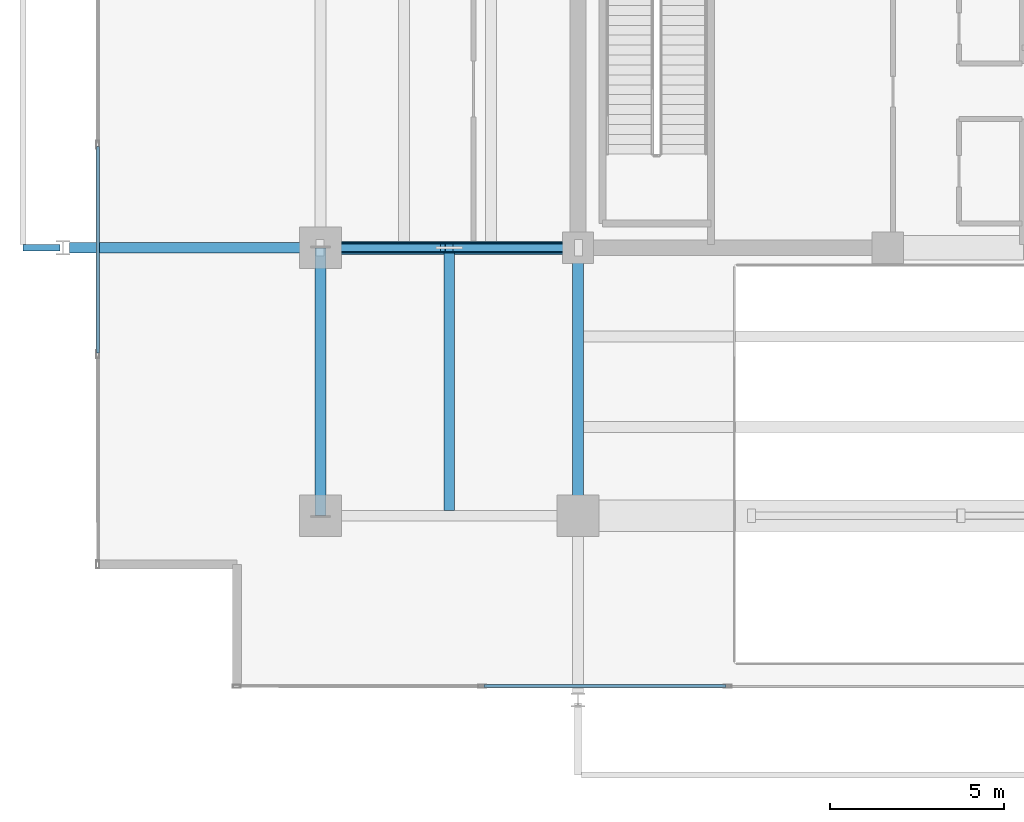
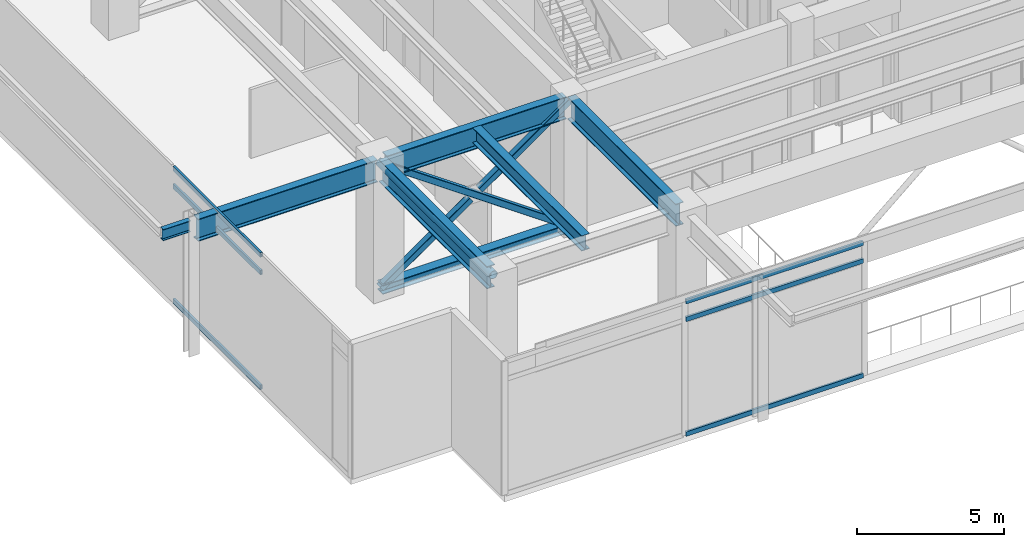
# One storey, part 3 of 26: 11 members, 6 beams, 2 elements without a shape of their own.
"""IFC4 building model written with IfcOpenShell, lengths in metres."""

from ifc_helpers import new_model, si_unit, direction, frame, origin, origin_2d, place, context, subcontext, project, spatial, hollow_rectangle, hollow_circle, i_section, extrude, material, material_profile, profile_set, type_object, element, aggregate, save


model = new_model("IFC4")

# Units and contexts
model_context = context("Model", 3, precision=1e-05, world=origin(), true_north=direction((0.0, 1.0)))
body_context = subcontext(model_context, "Body", "Model", "MODEL_VIEW")
ifc_project = project(units=[si_unit("LENGTHUNIT", "METRE"), si_unit("AREAUNIT", "SQUARE_METRE"), si_unit("VOLUMEUNIT", "CUBIC_METRE"), si_unit("PLANEANGLEUNIT", "RADIAN"), si_unit("MASSUNIT", "GRAM", prefix="KILO")], contexts=[model_context])

# Site, building, storey
site_placement = place(None, origin())
site = spatial("IfcSite", under=ifc_project, at=site_placement, CompositionType="ELEMENT")
building_placement = place(site_placement, origin())
building = spatial("IfcBuilding", under=site, at=building_placement, Name="Kovane Verandah Tower", CompositionType="ELEMENT")
storey_placement = place(building_placement, frame((0.0, 0.0, 301.0)))
storey = spatial("IfcBuildingStorey", under=building, at=storey_placement, Name="L70", CompositionType="ELEMENT", Elevation=301.0)

# Beams
ifc_material_1 = material(Name="Steel S460", Category="steel")
ifc_material_profile_1 = material_profile(ifc_material_1, i_section(OverallWidth=0.311279296875, OverallDepth=0.6357421875, WebThickness=0.018310546875, FlangeThickness=0.031494140625, FilletRadius=0.0166015625, at=origin_2d()), Name="UB610x305x238")
ifc_profile_set_1 = profile_set([ifc_material_profile_1], Name="Steel S460")
beam_type_1 = type_object("IfcBeamType", Name="BM-UB610x238", PredefinedType="BEAM", material=ifc_profile_set_1)
beam_1_placement = place(storey_placement, frame((25.300048828125, 10.951904296875, 5.26708984375), z_axis=(0.0, 1.0, 0.0), x_axis=(-1.0, 0.0, 0.0)))
element("IfcBeam", 1, at=beam_1_placement, inside=storey, type_object=beam_type_1, Name="L70 Secondary Composite Joist J-SW1", PredefinedType="BEAM", context=body_context, shape_type="SweptSolid", body=[
    extrude(i_section(OverallWidth=0.311279296875, OverallDepth=0.6357421875, WebThickness=0.018310546875, FlangeThickness=0.031494140625, FilletRadius=0.0166015625, at=origin_2d()), origin(), (0.0, 0.0, 1.0), 7.396240234375),
])
ifc_material_profile_2 = material_profile(ifc_material_1, i_section(OverallWidth=0.3076171875, OverallDepth=0.926513671875, WebThickness=0.01953125, FlangeThickness=0.031982421875, FilletRadius=0.01904296875, at=origin_2d()), Name="UB914x305x289")
ifc_profile_set_2 = profile_set([ifc_material_profile_2], Name="Steel S460")
beam_type_2 = type_object("IfcBeamType", Name="BM-UB914x289", PredefinedType="BEAM", material=ifc_profile_set_2)
beam_2_placement = place(storey_placement, frame((21.60009765625, 10.97998046875, 5.12158203125), z_axis=(0.0, 1.0, 0.0), x_axis=(-1.0, 0.0, 0.0)))
element("IfcBeam", 2, at=beam_2_placement, inside=storey, type_object=beam_type_2, Name="L70 Primary Tower Girder G-RW1", PredefinedType="BEAM", context=body_context, shape_type="SweptSolid", body=[
    extrude(i_section(OverallWidth=0.3076171875, OverallDepth=0.926513671875, WebThickness=0.01953125, FlangeThickness=0.031982421875, FilletRadius=0.01904296875, at=origin_2d()), origin(), (0.0, 0.0, 1.0), 7.340087890625),
])
beam_3_placement = place(storey_placement, frame((28.820068359375, 18.5, 5.12158203125), z_axis=(-1.0, 0.0, 0.0), x_axis=(0.0, -1.0, 0.0)))
element("IfcBeam", 3, at=beam_3_placement, inside=storey, type_object=beam_type_2, Name="L70 Primary Tower Girder G-W1", PredefinedType="BEAM", context=body_context, shape_type="SweptSolid", body=[
    extrude(i_section(OverallWidth=0.3076171875, OverallDepth=0.926513671875, WebThickness=0.01953125, FlangeThickness=0.031982421875, FilletRadius=0.01904296875, at=origin_2d()), origin(), (0.0, 0.0, 1.0), 7.0400390625),
])
beam_4_placement = place(storey_placement, frame((29.0, 18.320068359375, 5.12158203125), z_axis=(0.0, -1.0, 0.0), x_axis=(1.0, 0.0, 0.0)))
element("IfcBeam", 4, at=beam_4_placement, inside=storey, type_object=beam_type_2, Name="L70 Primary Tower Girder G-S1", PredefinedType="BEAM", context=body_context, shape_type="SweptSolid", body=[
    extrude(i_section(OverallWidth=0.3076171875, OverallDepth=0.926513671875, WebThickness=0.01953125, FlangeThickness=0.031982421875, FilletRadius=0.01904296875, at=origin_2d()), origin(), (0.0, 0.0, 1.0), 7.340087890625),
])
beam_5_placement = place(storey_placement, frame((21.419921875, 18.5, 5.0966796875), z_axis=(-1.0, 0.0, 0.0), x_axis=(0.0, -1.0, 0.0)))
element("IfcBeam", 5, at=beam_5_placement, inside=storey, type_object=beam_type_2, Name="L70 Primary Tower Girder G-VW1", PredefinedType="BEAM", context=body_context, shape_type="SweptSolid", body=[
    extrude(i_section(OverallWidth=0.3076171875, OverallDepth=0.926513671875, WebThickness=0.01953125, FlangeThickness=0.031982421875, FilletRadius=0.01904296875, at=origin_2d()), origin(), (0.0, 0.0, 1.0), 7.0400390625),
])

# Curtain wall, members
ifc_material_2 = material(Name="Champagne Anodised Aluminium Frame with Low-E Clear Laminated Glass", Category="aluminium")
curtain_wall_type = type_object("IfcCurtainWallType", Name="CW-SYS-05-HIGH", PredefinedType="NOTDEFINED", material=ifc_material_2)
curtain_wall_1_placement = place(storey_placement, origin())
curtain_wall_1 = element("IfcCurtainWall", 6, at=curtain_wall_1_placement, inside=storey, type_object=curtain_wall_type, Name="L70 South-West Wind-Portal Curtain Wall 1", PredefinedType="NOTDEFINED")
ifc_material_3 = material(Name="Champagne Anodised Aluminium 6063-T6", Category="aluminium")
ifc_material_profile_3 = material_profile(ifc_material_3, hollow_rectangle(XDim=0.0849609375, YDim=0.18994140625, WallThickness=0.00390625, at=origin_2d()), Name="AL85x190x4")
ifc_profile_set_3 = profile_set([ifc_material_profile_3], Name="Champagne Anodised Aluminium 6063-T6")
member_type_1 = type_object("IfcMemberType", Name="CW-TRN-85x190", PredefinedType="USERDEFINED", material=ifc_profile_set_3)
member_1_placement = place(storey_placement, frame((26.300048828125, 5.89990234375, 0.050048828125), z_axis=(1.0, 0.0, 0.0), x_axis=(0.0, 1.0, 0.0)))
member_1 = element("IfcMember", 7, at=member_1_placement, type_object=member_type_1, Name="L70 South-West Wind-Portal Curtain Wall 1 Transom TB Bay 2", ObjectType="TRANSOM", PredefinedType="USERDEFINED", context=body_context, shape_type="SweptSolid", body=[
    extrude(hollow_rectangle(XDim=0.0849609375, YDim=0.18994140625, WallThickness=0.00390625, at=origin_2d()), origin(), (0.0, 0.0, 1.0), 6.949951171875),
])
member_2_placement = place(storey_placement, frame((26.300048828125, 5.89990234375, 4.804931640625), z_axis=(1.0, 0.0, 0.0), x_axis=(0.0, 1.0, 0.0)))
member_2 = element("IfcMember", 8, at=member_2_placement, type_object=member_type_1, Name="L70 South-West Wind-Portal Curtain Wall 1 Transom TM Bay 2", ObjectType="TRANSOM", PredefinedType="USERDEFINED", context=body_context, shape_type="SweptSolid", body=[
    extrude(hollow_rectangle(XDim=0.0849609375, YDim=0.18994140625, WallThickness=0.00390625, at=origin_2d()), origin(), (0.0, 0.0, 1.0), 6.949951171875),
])
member_3_placement = place(storey_placement, frame((26.300048828125, 5.89990234375, 5.534912109375), z_axis=(1.0, 0.0, 0.0), x_axis=(0.0, 1.0, 0.0)))
member_3 = element("IfcMember", 9, at=member_3_placement, type_object=member_type_1, Name="L70 South-West Wind-Portal Curtain Wall 1 Transom TT Bay 2", ObjectType="TRANSOM", PredefinedType="USERDEFINED", context=body_context, shape_type="SweptSolid", body=[
    extrude(hollow_rectangle(XDim=0.0849609375, YDim=0.18994140625, WallThickness=0.00390625, at=origin_2d()), origin(), (0.0, 0.0, 1.0), 6.949951171875),
])
aggregate(curtain_wall_1, [member_1, member_2, member_3])

curtain_wall_2_placement = place(storey_placement, origin())
curtain_wall_2 = element("IfcCurtainWall", 10, at=curtain_wall_2_placement, inside=storey, type_object=curtain_wall_type, Name="L70 W Unitised Curtain Wall", PredefinedType="NOTDEFINED")
member_4_placement = place(storey_placement, frame((15.199951171875, 21.416748046875, 0.050048828125), z_axis=(0.0, -1.0, 0.0), x_axis=(1.0, 0.0, 0.0)))
member_4 = element("IfcMember", 11, at=member_4_placement, type_object=member_type_1, Name="L70 W Unitised Curtain Wall Transom TB Bay 5", ObjectType="TRANSOM", PredefinedType="USERDEFINED", context=body_context, shape_type="SweptSolid", body=[
    extrude(hollow_rectangle(XDim=0.0849609375, YDim=0.18994140625, WallThickness=0.00390625, at=origin_2d()), origin(), (0.0, 0.0, 1.0), 5.933349609375),
])
member_5_placement = place(storey_placement, frame((15.199951171875, 21.416748046875, 4.804931640625), z_axis=(0.0, -1.0, 0.0), x_axis=(1.0, 0.0, 0.0)))
member_5 = element("IfcMember", 12, at=member_5_placement, type_object=member_type_1, Name="L70 W Unitised Curtain Wall Transom TM Bay 5", ObjectType="TRANSOM", PredefinedType="USERDEFINED", context=body_context, shape_type="SweptSolid", body=[
    extrude(hollow_rectangle(XDim=0.0849609375, YDim=0.18994140625, WallThickness=0.00390625, at=origin_2d()), origin(), (0.0, 0.0, 1.0), 5.933349609375),
])
member_6_placement = place(storey_placement, frame((15.199951171875, 21.416748046875, 5.534912109375), z_axis=(0.0, -1.0, 0.0), x_axis=(1.0, 0.0, 0.0)))
member_6 = element("IfcMember", 13, at=member_6_placement, type_object=member_type_1, Name="L70 W Unitised Curtain Wall Transom TT Bay 5", ObjectType="TRANSOM", PredefinedType="USERDEFINED", context=body_context, shape_type="SweptSolid", body=[
    extrude(hollow_rectangle(XDim=0.0849609375, YDim=0.18994140625, WallThickness=0.00390625, at=origin_2d()), origin(), (0.0, 0.0, 1.0), 5.933349609375),
])
aggregate(curtain_wall_2, [member_4, member_5, member_6])

# Beam
ifc_material_4 = material(Name="Steel S355", Category="steel")
ifc_material_profile_4 = material_profile(ifc_material_4, i_section(OverallWidth=0.19287109375, OverallDepth=0.46728515625, WebThickness=0.011474609375, FlangeThickness=0.01953125, FilletRadius=0.01025390625, at=origin_2d()), Name="UB457x191x98")
ifc_profile_set_4 = profile_set([ifc_material_profile_4], Name="Steel S355")
beam_type_3 = type_object("IfcBeamType", Name="JST-UB457x98", PredefinedType="JOIST", material=ifc_profile_set_4)
beam_6_placement = place(storey_placement, frame((14.1201171875, 18.5, 5.326416015625), z_axis=(-1.0, 0.0, 0.0), x_axis=(0.0, -1.0, 0.0)))
element("IfcBeam", 14, at=beam_6_placement, inside=storey, type_object=beam_type_3, Name="L70 West Planter Girder 1", PredefinedType="JOIST", context=body_context, shape_type="SweptSolid", body=[
    extrude(i_section(OverallWidth=0.19287109375, OverallDepth=0.46728515625, WebThickness=0.011474609375, FlangeThickness=0.01953125, FilletRadius=0.01025390625, at=origin_2d()), origin(), (0.0, 0.0, 1.0), 1.070068359375),
])

# Members
ifc_material_profile_5 = material_profile(ifc_material_4, hollow_rectangle(XDim=0.25, YDim=0.25, WallThickness=0.012451171875, InnerFilletRadius=0.012451171875, OuterFilletRadius=0.02490234375, at=origin_2d()), Name="SHS250x250x12.5")
ifc_profile_set_5 = profile_set([ifc_material_profile_5], Name="Steel S355")
member_type_2 = type_object("IfcMemberType", Name="MEM-BR-SHS250", PredefinedType="BRACE", material=ifc_profile_set_5)
member_7_placement = place(storey_placement, frame((29.0, 18.5, 0.1201171875), z_axis=(-0.818977960496, 0.0, 0.573824973509), x_axis=(0.0, -1.0, 0.0)))
element("IfcMember", 15, at=member_7_placement, inside=storey, type_object=member_type_2, Name="L70 Outrigger Continuous Diagonal OW1", PredefinedType="BRACE", context=body_context, shape_type="SweptSolid", body=[
    extrude(hollow_rectangle(XDim=0.25, YDim=0.25, WallThickness=0.012451171875, InnerFilletRadius=0.012451171875, OuterFilletRadius=0.02490234375, at=origin_2d()), origin(), (0.0, 0.0, 1.0), 9.03564453125),
])
member_8_placement = place(storey_placement, frame((21.60009765625, 18.5, 0.1201171875), z_axis=(0.818988986866, 0.0, 0.573809236064), x_axis=(0.0, 1.0, 0.0)))
element("IfcMember", 16, at=member_8_placement, inside=storey, type_object=member_type_2, Name="L70 Outrigger Split Diagonal Lower OW1", PredefinedType="BRACE", context=body_context, shape_type="SweptSolid", body=[
    extrude(hollow_rectangle(XDim=0.25, YDim=0.25, WallThickness=0.012451171875, InnerFilletRadius=0.012451171875, OuterFilletRadius=0.02490234375, at=origin_2d()), origin(), (0.0, 0.0, 1.0), 4.297607421875),
])
member_9_placement = place(storey_placement, frame((25.480224609375, 18.5, 2.838623046875), z_axis=(0.818962290692, 0.0, 0.573847337211), x_axis=(0.0, 1.0, 0.0)))
element("IfcMember", 17, at=member_9_placement, inside=storey, type_object=member_type_2, Name="L70 Outrigger Split Diagonal Upper OW1", PredefinedType="BRACE", context=body_context, shape_type="SweptSolid", body=[
    extrude(hollow_rectangle(XDim=0.25, YDim=0.25, WallThickness=0.012451171875, InnerFilletRadius=0.012451171875, OuterFilletRadius=0.02490234375, at=origin_2d()), origin(), (0.0, 0.0, 1.0), 4.2978515625),
])
ifc_material_profile_6 = material_profile(ifc_material_4, i_section(OverallWidth=0.374755859375, OverallDepth=0.37451171875, WebThickness=0.0166015625, FlangeThickness=0.027099609375, FilletRadius=0.01513671875, at=origin_2d()), Name="UC356x368x202")
ifc_profile_set_6 = profile_set([ifc_material_profile_6], Name="Steel S355")
member_type_3 = type_object("IfcMemberType", Name="MEM-CHORD-UC202", PredefinedType="CHORD", material=ifc_profile_set_6)
member_10_placement = place(storey_placement, frame((29.0, 18.5, 0.1201171875), z_axis=(-1.0, 0.0, 0.0), x_axis=(0.0, -1.0, 0.0)))
element("IfcMember", 18, at=member_10_placement, inside=storey, type_object=member_type_3, Name="L70 Outrigger Bottom Chord OW1", PredefinedType="CHORD", context=body_context, shape_type="SweptSolid", body=[
    extrude(i_section(OverallWidth=0.374755859375, OverallDepth=0.37451171875, WebThickness=0.0166015625, FlangeThickness=0.027099609375, FilletRadius=0.01513671875, at=origin_2d()), origin(), (0.0, 0.0, 1.0), 7.39990234375),
])
ifc_material_profile_7 = material_profile(ifc_material_1, hollow_circle(Radius=0.161865234375, WallThickness=0.012451171875, at=origin_2d()), Name="CHS323.9x12.5")
ifc_profile_set_7 = profile_set([ifc_material_profile_7], Name="Steel S460")
member_type_4 = type_object("IfcMemberType", Name="MEM-STRUT-CHS324", PredefinedType="STRUT", material=ifc_profile_set_7)
member_11_placement = place(storey_placement, frame((21.60009765625, 10.800048828125, 5.304931640625), z_axis=(0.0, 1.0, 0.0), x_axis=(-1.0, 0.0, 0.0)))
element("IfcMember", 19, at=member_11_placement, inside=storey, type_object=member_type_4, Name="L70 Belt-Truss Ring Chord BW1", PredefinedType="STRUT", context=body_context, shape_type="SweptSolid", body=[
    extrude(hollow_circle(Radius=0.161865234375, WallThickness=0.012451171875, at=origin_2d()), origin(), (0.0, 0.0, 1.0), 7.699951171875),
])

save(model, "model.ifc")
